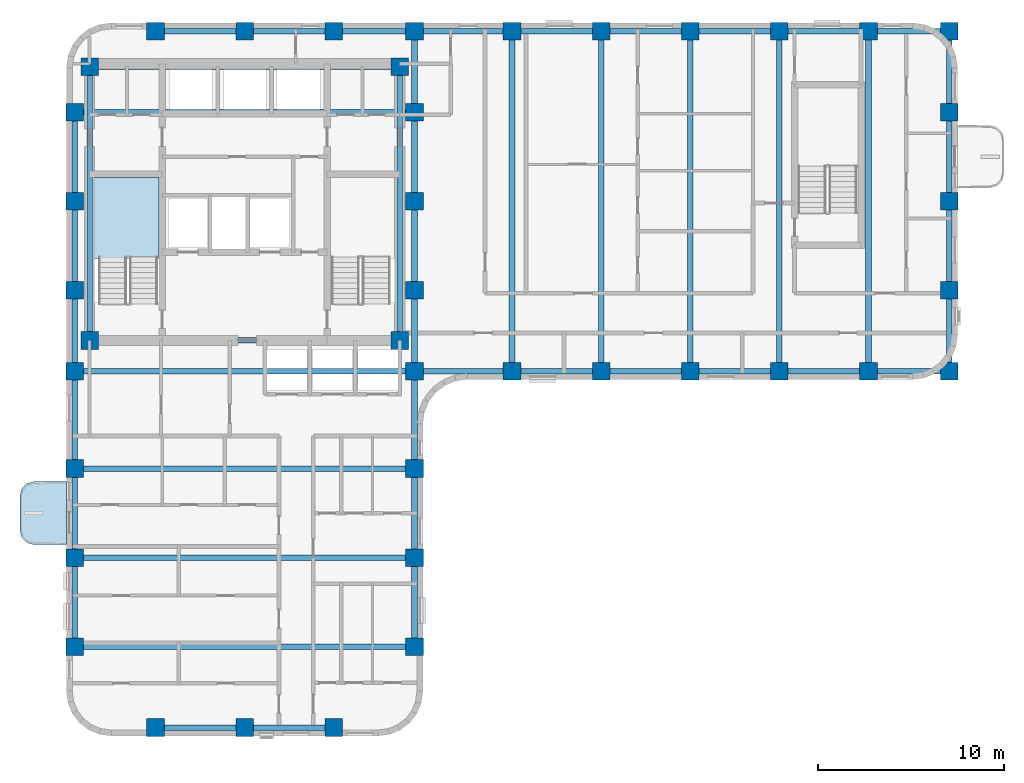
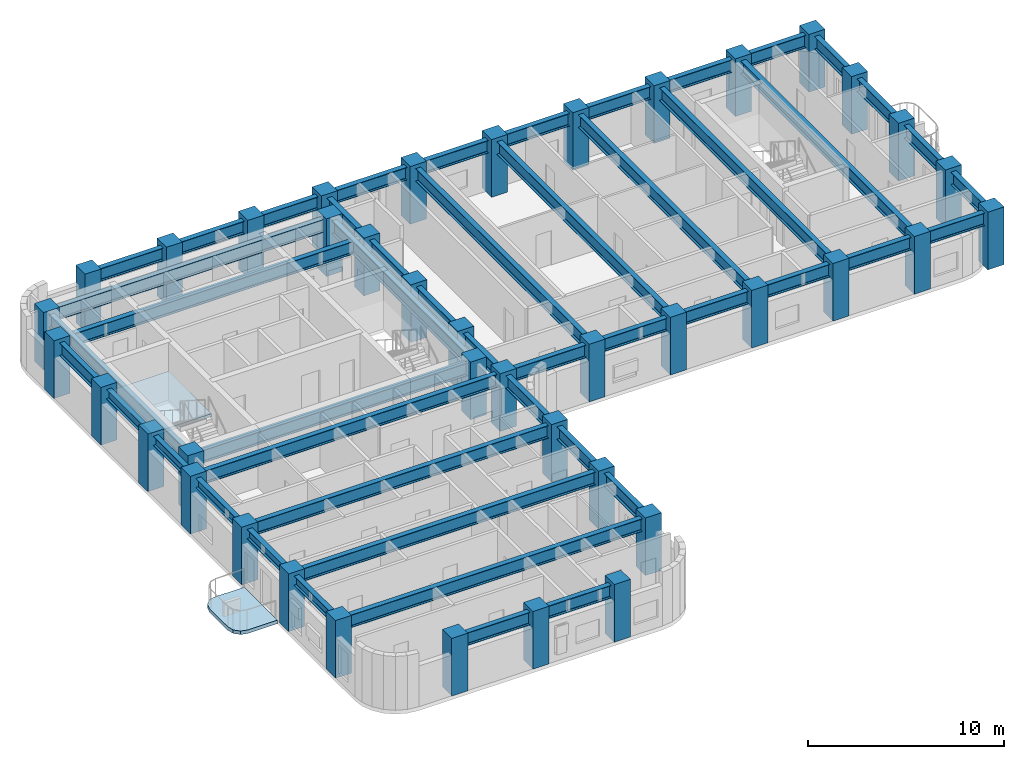
# One storey, part 1 of 10: 48 beams, 40 columns, 2 slabs, 1 element without a shape of its own.
"""IFC4 building model written with IfcOpenShell, lengths in metres."""

import ifcopenshell
import ifcopenshell.guid

model = None  # the IFC model being written
_history = None  # IfcOwnerHistory: only IFC2X3 demands one
_inside = {}  # id of a spatial element -> (the spatial element, [elements in it])
_under = {}  # id of a project, library or spatial element -> (it, [spatial elements below it])
_declared = {}  # id of a project -> (the project, [libraries it declares])
_typed = {}  # id of a type object -> (the type object, [elements of that type])
_made_of = {}  # id of a material, layer set ... -> (it, [elements and type objects made of it])


def new_model(schema):
    """Start an empty IFC model of exactly this schema.

    Asked for "IFC4X3", IfcOpenShell would pick the latest addendum, in which some entities
    have other attributes; the version numbers below select the first issue.
    IFC2X3 requires an IfcOwnerHistory on every rooted entity: one is made here for all.
    """
    global model, _history
    if schema == "IFC4X3":
        model = ifcopenshell.file(schema_version=(4, 3, 0, 0))
    else:
        model = ifcopenshell.file(schema=schema)
    _inside.clear()
    _under.clear()
    _declared.clear()
    _typed.clear()
    _made_of.clear()
    _history = None
    if model.schema == "IFC2X3":
        org = make("IfcOrganization", Name="unknown")
        user = make(
            "IfcPersonAndOrganization",
            ThePerson=make("IfcPerson", FamilyName="unknown"),
            TheOrganization=org,
        )
        app = make(
            "IfcApplication",
            ApplicationDeveloper=org,
            Version="unknown",
            ApplicationFullName="unknown",
            ApplicationIdentifier="unknown",
        )
        _history = make(
            "IfcOwnerHistory",
            OwningUser=user,
            OwningApplication=app,
            ChangeAction="ADDED",
            CreationDate=0,
        )
    return model


def make(cls, **values):
    """One entity of the class cls with the attributes given. An attribute that is None is left unset."""
    return model.create_entity(
        cls, **{name: value for name, value in values.items() if value is not None}
    )


def rooted(cls, **values):
    """An entity with a GlobalId (a new one), such as an element, a storey or a relation."""
    return make(cls, GlobalId=ifcopenshell.guid.new(), OwnerHistory=_history, **values)


def si_unit(unit_type, name, prefix=None):
    """IfcSIUnit, for example si_unit("LENGTHUNIT", "METRE", prefix="MILLI")."""
    return make("IfcSIUnit", UnitType=unit_type, Prefix=prefix, Name=name)


def assignment(units):
    """IfcUnitAssignment: the units of a project."""
    return None if units is None else make("IfcUnitAssignment", Units=units)


def point(xyz):
    """IfcCartesianPoint."""
    return None if xyz is None else make("IfcCartesianPoint", Coordinates=xyz)


def direction(xyz):
    """IfcDirection."""
    return None if xyz is None else make("IfcDirection", DirectionRatios=xyz)


def frame(location, z_axis=None, x_axis=None):
    """IfcAxis2Placement3D, a coordinate frame: its origin and axes. An axis left out is left unset."""
    return make(
        "IfcAxis2Placement3D",
        Location=point(location),
        Axis=direction(z_axis),
        RefDirection=direction(x_axis),
    )


def frame_2d(location, x_axis=None):
    """IfcAxis2Placement2D, a coordinate frame in the plane: its origin and x axis."""
    return make(
        "IfcAxis2Placement2D", Location=point(location), RefDirection=direction(x_axis)
    )


def origin():
    """The frame at (0, 0, 0) with its axes left unset."""
    return frame((0.0, 0.0, 0.0))


def origin_2d():
    """The frame at (0, 0) in the plane with its x axis left unset."""
    return frame_2d((0.0, 0.0))


def place(relative_to, where):
    """IfcLocalPlacement: puts the frame where relative to a parent placement (None: the world)."""
    return make(
        "IfcLocalPlacement", PlacementRelTo=relative_to, RelativePlacement=where
    )


def context(
    kind, dimensions, precision=None, world=None, true_north=None, identifier=None
):
    """IfcGeometricRepresentationContext, for example the 3D "Model" context."""
    return make(
        "IfcGeometricRepresentationContext",
        ContextIdentifier=identifier,
        ContextType=kind,
        CoordinateSpaceDimension=dimensions,
        Precision=precision,
        WorldCoordinateSystem=world,
        TrueNorth=true_north,
    )


def subcontext(parent, identifier, kind, view, scale=None):
    """IfcGeometricRepresentationSubContext, for example "Body" below "Model"."""
    return make(
        "IfcGeometricRepresentationSubContext",
        ContextIdentifier=identifier,
        ContextType=kind,
        ParentContext=parent,
        TargetScale=scale,
        TargetView=view,
    )


def project(units=None, contexts=None):
    """IfcProject with its units and contexts."""
    return rooted(
        "IfcProject",
        Name="project",
        RepresentationContexts=contexts,
        UnitsInContext=assignment(units),
    )


def spatial(cls, under=None, at=None, **own):
    """A site, building, storey or space (cls), placed at a placement, below another one or the project."""
    s = rooted(cls, ObjectPlacement=at, **own)
    if under is not None:
        _under.setdefault(under.id(), (under, []))[1].append(s)
    return s


def polyline(points):
    """IfcPolyline through the points."""
    return make("IfcPolyline", Points=[point(p) for p in points])


def profile(cls, at=None, kind="AREA", **sizes):
    """A parametric profile (cls). Its sizes go by their IFC names, for example OverallWidth=200.0."""
    return make(cls, ProfileType=kind, Position=at, **sizes)


def rectangle(**sizes):
    """IfcRectangleProfileDef."""
    return profile("IfcRectangleProfileDef", **sizes)


def i_section(**sizes):
    """IfcIShapeProfileDef."""
    return profile("IfcIShapeProfileDef", **sizes)


def outline(outer, holes=None, kind="AREA"):
    """IfcArbitraryClosedProfileDef: a profile drawn as a closed curve; with holes, ...WithVoids."""
    if holes is None:
        return make("IfcArbitraryClosedProfileDef", ProfileType=kind, OuterCurve=outer)
    return make(
        "IfcArbitraryProfileDefWithVoids",
        ProfileType=kind,
        OuterCurve=outer,
        InnerCurves=holes,
    )


def extrude(swept, where, along, depth):
    """IfcExtrudedAreaSolid: the profile swept, set in the frame where, extruded along a direction by depth."""
    return make(
        "IfcExtrudedAreaSolid",
        SweptArea=swept,
        Position=where,
        ExtrudedDirection=direction(along),
        Depth=depth,
    )


def shape(context_of_items, identifier, shape_type, items):
    """IfcShapeRepresentation: the items that make up one representation, for example the "Body"."""
    return make(
        "IfcShapeRepresentation",
        ContextOfItems=context_of_items,
        RepresentationIdentifier=identifier,
        RepresentationType=shape_type,
        Items=items,
    )


def material(Name=None, Category=None):
    """IfcMaterial."""
    return make("IfcMaterial", Name=Name, Category=Category)


def layer(
    of_material, thickness, ventilated=None, Name=None, Category=None, Priority=None
):
    """IfcMaterialLayer: one layer of a wall or slab, of a material (None: an air gap)."""
    return make(
        "IfcMaterialLayer",
        Material=of_material,
        LayerThickness=thickness,
        IsVentilated=ventilated,
        Name=Name,
        Category=Category,
        Priority=Priority,
    )


def layer_set(layers, Name=None):
    """IfcMaterialLayerSet."""
    return make("IfcMaterialLayerSet", MaterialLayers=layers, LayerSetName=Name)


def material_profile(
    of_material, cross_section, Name=None, Category=None, Priority=None
):
    """IfcMaterialProfile: a cross section and its material."""
    return make(
        "IfcMaterialProfile",
        Name=Name,
        Material=of_material,
        Profile=cross_section,
        Priority=Priority,
        Category=Category,
    )


def profile_set(profiles, Name=None, composite=None):
    """IfcMaterialProfileSet."""
    return make(
        "IfcMaterialProfileSet",
        Name=Name,
        MaterialProfiles=profiles,
        CompositeProfile=composite,
    )


def made_of(thing, what):
    """Note that an element or type object is made of a material, layer set ...; save() writes the relation."""
    if what is not None:
        _made_of.setdefault(what.id(), (what, []))[1].append(thing)
    return thing


def type_object(cls, material=None, **own):
    """A type object (cls), such as IfcWallType, which elements share."""
    return made_of(rooted(cls, **own), material)


def element(
    cls,
    number,
    at=None,
    inside=None,
    cuts=None,
    type_object=None,
    material=None,
    context=None,
    identifier="Body",
    shape_type=None,
    held_by="IfcProductDefinitionShape",
    body=None,
    shapes=None,
    **own,
):
    """One element of the class cls, such as IfcWall. Its Tag is "e" and its number.

    at: its placement. inside: the storey or other place that contains it. cuts: it is an
    opening in that element (IfcRelVoidsElement). A single representation is given by context,
    identifier, shape_type and body (its items); several are given by shapes. held_by: the class
    of the entity that holds the representations. save() writes the other relations.
    """
    e = rooted(cls, Tag="e%d" % number, ObjectPlacement=at, **own)
    if body is not None:
        shapes = [shape(context, identifier, shape_type, body)]
    if shapes is not None:
        e.Representation = make(held_by, Representations=shapes)
    if inside is not None:
        _inside.setdefault(inside.id(), (inside, []))[1].append(e)
    if cuts is not None:
        rooted(
            "IfcRelVoidsElement", RelatingBuildingElement=cuts, RelatedOpeningElement=e
        )
    if type_object is not None:
        _typed.setdefault(type_object.id(), (type_object, []))[1].append(e)
    return made_of(e, material)


def aggregate(whole, parts):
    """IfcRelAggregates: a whole, such as a stair, and the parts it consists of."""
    return rooted("IfcRelAggregates", RelatingObject=whole, RelatedObjects=parts)


def save(model, path):
    """Write the relations noted so far, then the file.

    IfcRelAggregates (storeys below a building ...), IfcRelContainedInSpatialStructure (elements
    in a storey), IfcRelDefinesByType, IfcRelAssociatesMaterial and IfcRelDeclares: one each for
    every whole, place, type object, material and project.
    """
    for whole, parts in _under.values():
        aggregate(whole, parts)
    for where, things in _inside.values():
        rooted(
            "IfcRelContainedInSpatialStructure",
            RelatedElements=things,
            RelatingStructure=where,
        )
    for kind, things in _typed.values():
        rooted("IfcRelDefinesByType", RelatedObjects=things, RelatingType=kind)
    for what, things in _made_of.values():
        rooted("IfcRelAssociatesMaterial", RelatedObjects=things, RelatingMaterial=what)
    for by, libraries in _declared.values():
        rooted("IfcRelDeclares", RelatingContext=by, RelatedDefinitions=libraries)
    model.write(path)


model = new_model("IFC4")

# Units and contexts
model_context = context("Model", 3, precision=1e-05, world=origin(), true_north=direction((0.0, 1.0)))
body_context = subcontext(model_context, "Body", "Model", "MODEL_VIEW")
ifc_project = project(units=[si_unit("LENGTHUNIT", "METRE"), si_unit("AREAUNIT", "SQUARE_METRE"), si_unit("VOLUMEUNIT", "CUBIC_METRE"), si_unit("PLANEANGLEUNIT", "RADIAN"), si_unit("MASSUNIT", "GRAM", prefix="KILO")], contexts=[model_context])

# Site, building, storey
site_placement = place(None, origin())
site = spatial("IfcSite", under=ifc_project, at=site_placement, CompositionType="ELEMENT")
building_placement = place(site_placement, origin())
building = spatial("IfcBuilding", under=site, at=building_placement, Name="Orvandelia Arch Residences", CompositionType="ELEMENT")
storey_placement = place(building_placement, frame((0.0, 0.0, 136.0)))
storey = spatial("IfcBuildingStorey", under=building, at=storey_placement, Name="L35", CompositionType="ELEMENT", Elevation=136.0)

# Columns
ifc_material_1 = material(Name="Concrete C60/75", Category="concrete")
ifc_material_profile_1 = material_profile(ifc_material_1, rectangle(XDim=0.949951171875, YDim=0.949951171875, at=origin_2d()), Name="Concrete C60/75", Category="concrete")
ifc_profile_set_1 = profile_set([ifc_material_profile_1], Name="Concrete C60/75")
column_type = type_object("IfcColumnType", Name="COL-TWR-950", PredefinedType="COLUMN", material=ifc_profile_set_1)
for number, where, z_axis, x_axis, name in (
    (1, (5.25, 14.39990234375, 0.0), (0.0, 0.0, 1.0), (1.0, 0.0, 0.0), "Structural Column L35-W-W-144"),
    (2, (5.25, 19.199951171875, 0.0), (0.0, 0.0, 1.0), (1.0, 0.0, 0.0), "Structural Column L35-W-W-192"),
    (3, (5.25, 24.0, 0.0), (0.0, 0.0, 1.0), (1.0, 0.0, 0.0), "Structural Column L35-W-W-240"),
    (4, (5.25, 29.25, 0.0), (0.0, 0.0, 1.0), (1.0, 0.0, 0.0), "Structural Column L35-W-W-292"),
    (5, (5.25, 33.60009765625, 0.0), (0.0, 0.0, 1.0), (1.0, 0.0, 0.0), "Structural Column L35-W-W-336"),
    (6, (5.25, 38.39990234375, 0.0), (0.0, 0.0, 1.0), (1.0, 0.0, 0.0), "Structural Column L35-W-W-384"),
    (7, (5.25, 43.199951171875, 0.0), (0.0, 0.0, 1.0), (1.0, 0.0, 0.0), "Structural Column L35-W-W-432"),
    (8, (6.050048828125, 30.89990234375, 0.0), (0.0, 0.0, 1.0), (1.0, 0.0, 0.0), "Structural Column L35-CR-SW"),
    (9, (6.050048828125, 45.64990234375, 0.0), (0.0, 0.0, 1.0), (1.0, 0.0, 0.0), "Structural Column L35-CR-NW"),
    (10, (9.60009765625, 10.050048828125, 0.0), (0.0, 0.0, 1.0), (1.0, 0.0, 0.0), "Structural Column L35-W-S-96"),
    (11, (9.60009765625, 47.550048828125, 0.0), (0.0, 0.0, 1.0), (1.0, 0.0, 0.0), "Structural Column L35-W-N-96"),
    (12, (14.39990234375, 10.050048828125, 0.0), (0.0, 0.0, 1.0), (1.0, 0.0, 0.0), "Structural Column L35-W-S-144"),
    (13, (14.39990234375, 47.550048828125, 0.0), (0.0, 0.0, 1.0), (1.0, 0.0, 0.0), "Structural Column L35-W-N-144"),
    (14, (19.199951171875, 10.050048828125, 0.0), (0.0, 0.0, 1.0), (1.0, 0.0, 0.0), "Structural Column L35-W-S-192"),
    (15, (19.199951171875, 47.550048828125, 0.0), (0.0, 0.0, 1.0), (1.0, 0.0, 0.0), "Structural Column L35-W-N-192"),
    (16, (22.75, 30.89990234375, 0.0), (0.0, 0.0, 1.0), (1.0, 0.0, 0.0), "Structural Column L35-CR-SE"),
    (17, (22.75, 45.64990234375, 0.0), (0.0, 0.0, 1.0), (1.0, 0.0, 0.0), "Structural Column L35-CR-NE"),
    (18, (23.550048828125, 14.39990234375, 0.0), (0.0, 0.0, 1.0), (1.0, 0.0, 0.0), "Structural Column L35-W-E-144"),
    (19, (23.550048828125, 19.199951171875, 0.0), (0.0, 0.0, 1.0), (1.0, 0.0, 0.0), "Structural Column L35-W-E-192"),
    (20, (23.550048828125, 24.0, 0.0), (0.0, 0.0, 1.0), (1.0, 0.0, 0.0), "Structural Column L35-W-E-240"),
    (21, (23.550048828125, 29.25, 0.0), (0.0, 0.0, 1.0), (1.0, 0.0, 0.0), "Structural Column L35-W-E-292"),
    (22, (23.550048828125, 33.60009765625, 0.0), (0.0, 0.0, 1.0), (1.0, 0.0, 0.0), "Structural Column L35-W-E-336"),
    (23, (23.550048828125, 38.39990234375, 0.0), (0.0, 0.0, 1.0), (1.0, 0.0, 0.0), "Structural Column L35-W-E-384"),
    (24, (23.550048828125, 43.199951171875, 0.0), (0.0, 0.0, 1.0), (1.0, 0.0, 0.0), "Structural Column L35-W-E-432"),
    (25, (23.550048828125, 47.550048828125, 0.0), (0.0, 0.0, 1.0), (1.0, 0.0, 0.0), "Structural Column L35-W-N-235"),
    (26, (28.800048828125, 29.25, 0.0), (0.0, 0.0, 1.0), (1.0, 0.0, 0.0), "Structural Column L35-E-S-288"),
    (27, (28.800048828125, 47.550048828125, 0.0), (0.0, 0.0, 1.0), (1.0, 0.0, 0.0), "Structural Column L35-E-N-288"),
    (28, (33.60009765625, 29.25, 0.0), (0.0, 0.0, 1.0), (1.0, 0.0, 0.0), "Structural Column L35-E-S-336"),
    (29, (33.60009765625, 47.550048828125, 0.0), (0.0, 0.0, 1.0), (1.0, 0.0, 0.0), "Structural Column L35-E-N-336"),
    (30, (38.39990234375, 29.25, 0.0), (0.0, 0.0, 1.0), (1.0, 0.0, 0.0), "Structural Column L35-E-S-384"),
    (31, (38.39990234375, 47.550048828125, 0.0), (0.0, 0.0, 1.0), (1.0, 0.0, 0.0), "Structural Column L35-E-N-384"),
    (32, (43.199951171875, 29.25, 0.0), (0.0, 0.0, 1.0), (1.0, 0.0, 0.0), "Structural Column L35-E-S-432"),
    (33, (43.199951171875, 47.550048828125, 0.0), (0.0, 0.0, 1.0), (1.0, 0.0, 0.0), "Structural Column L35-E-N-432"),
    (34, (48.0, 29.25, 0.0), (0.0, 0.0, 1.0), (1.0, 0.0, 0.0), "Structural Column L35-E-S-480"),
    (35, (48.0, 47.550048828125, 0.0), (0.0, 0.0, 1.0), (1.0, 0.0, 0.0), "Structural Column L35-E-N-480"),
    (36, (52.35009765625, 29.25, 0.0), (0.0, 0.0, 1.0), (1.0, 0.0, 0.0), "Structural Column L35-E-S-523"),
    (37, (52.35009765625, 33.60009765625, 0.0), (0.0, 0.0, 1.0), (1.0, 0.0, 0.0), "Structural Column L35-E-523-336"),
    (38, (52.35009765625, 38.39990234375, 0.0), (0.0, 0.0, 1.0), (1.0, 0.0, 0.0), "Structural Column L35-E-523-384"),
    (39, (52.35009765625, 43.199951171875, 0.0), (0.0, 0.0, 1.0), (1.0, 0.0, 0.0), "Structural Column L35-E-523-432"),
    (40, (52.35009765625, 47.550048828125, 0.0), (0.0, 0.0, 1.0), (1.0, 0.0, 0.0), "Structural Column L35-E-N-523"),
):
    element("IfcColumn", number, at=place(storey_placement, frame(where, z_axis=z_axis, x_axis=x_axis)), inside=storey, type_object=column_type, Name=name, PredefinedType="COLUMN", context=body_context, shape_type="SweptSolid", body=[
        extrude(rectangle(XDim=0.949951171875, YDim=0.949951171875, at=origin_2d()), origin(), (0.0, 0.0, 1.0), 3.60009765625),
    ])

# Beams
ifc_material_2 = material(Name="Structural Steel SM355 (355 MPa)", Category="steel")
ifc_material_profile_2 = material_profile(ifc_material_2, i_section(OverallWidth=0.300048828125, OverallDepth=0.800048828125, WebThickness=0.013916015625, FlangeThickness=0.02587890625, FilletRadius=0.02587890625, at=origin_2d()), Name="Structural Steel SM355 (355 MPa)", Category="steel")
ifc_profile_set_2 = profile_set([ifc_material_profile_2], Name="Structural Steel SM355 (355 MPa)")
beam_type_1 = type_object("IfcBeamType", Name="BM-GRD-H800", PredefinedType="BEAM", material=ifc_profile_set_2)
beam_1_placement = place(storey_placement, frame((5.25, 38.39990234375, 2.9599609375), z_axis=(0.0, 1.0, 0.0), x_axis=(-1.0, 0.0, 0.0)))
element("IfcBeam", 41, at=beam_1_placement, inside=storey, type_object=beam_type_1, Name="Structural Frame Beam L35-NS-006", PredefinedType="BEAM", context=body_context, shape_type="SweptSolid", body=[
    extrude(i_section(OverallWidth=0.300048828125, OverallDepth=0.800048828125, WebThickness=0.013916015625, FlangeThickness=0.02587890625, FilletRadius=0.02587890625, at=origin_2d()), origin(), (0.0, 0.0, 1.0), 4.800048828125),
])
for number, where, z_axis, x_axis, name in (
    (42, (6.050048828125, 30.89990234375, 2.9599609375), (0.0, 1.0, 0.0), (-1.0, 0.0, 0.0), "Structural Frame Beam L35-NS-007"),
    (43, (22.75, 30.89990234375, 2.9599609375), (0.0, 1.0, 0.0), (-1.0, 0.0, 0.0), "Structural Frame Beam L35-NS-008"),
):
    element("IfcBeam", number, at=place(storey_placement, frame(where, z_axis=z_axis, x_axis=x_axis)), inside=storey, type_object=beam_type_1, Name=name, PredefinedType="BEAM", context=body_context, shape_type="SweptSolid", body=[
        extrude(i_section(OverallWidth=0.300048828125, OverallDepth=0.800048828125, WebThickness=0.013916015625, FlangeThickness=0.02587890625, FilletRadius=0.02587890625, at=origin_2d()), origin(), (0.0, 0.0, 1.0), 14.75),
    ])
for number, where, z_axis, x_axis, name in (
    (44, (23.550048828125, 14.39990234375, 2.9599609375), (0.0, 1.0, 0.0), (-1.0, 0.0, 0.0), "Structural Frame Beam L35-NS-009"),
    (45, (23.550048828125, 19.199951171875, 2.9599609375), (0.0, 1.0, 0.0), (-1.0, 0.0, 0.0), "Structural Frame Beam L35-NS-010"),
):
    element("IfcBeam", number, at=place(storey_placement, frame(where, z_axis=z_axis, x_axis=x_axis)), inside=storey, type_object=beam_type_1, Name=name, PredefinedType="BEAM", context=body_context, shape_type="SweptSolid", body=[
        extrude(i_section(OverallWidth=0.300048828125, OverallDepth=0.800048828125, WebThickness=0.013916015625, FlangeThickness=0.02587890625, FilletRadius=0.02587890625, at=origin_2d()), origin(), (0.0, 0.0, 1.0), 4.800048828125),
    ])
beam_2_placement = place(storey_placement, frame((23.550048828125, 24.0, 2.9599609375), z_axis=(0.0, 1.0, 0.0), x_axis=(-1.0, 0.0, 0.0)))
element("IfcBeam", 46, at=beam_2_placement, inside=storey, type_object=beam_type_1, Name="Structural Frame Beam L35-NS-011", PredefinedType="BEAM", context=body_context, shape_type="SweptSolid", body=[
    extrude(i_section(OverallWidth=0.300048828125, OverallDepth=0.800048828125, WebThickness=0.013916015625, FlangeThickness=0.02587890625, FilletRadius=0.02587890625, at=origin_2d()), origin(), (0.0, 0.0, 1.0), 5.25),
])
beam_3_placement = place(storey_placement, frame((23.550048828125, 29.25, 2.9599609375), z_axis=(0.0, 1.0, 0.0), x_axis=(-1.0, 0.0, 0.0)))
element("IfcBeam", 47, at=beam_3_placement, inside=storey, type_object=beam_type_1, Name="Structural Frame Beam L35-NS-012", PredefinedType="BEAM", context=body_context, shape_type="SweptSolid", body=[
    extrude(i_section(OverallWidth=0.300048828125, OverallDepth=0.800048828125, WebThickness=0.013916015625, FlangeThickness=0.02587890625, FilletRadius=0.02587890625, at=origin_2d()), origin(), (0.0, 0.0, 1.0), 4.35009765625),
])
beam_4_placement = place(storey_placement, frame((23.550048828125, 33.60009765625, 2.9599609375), z_axis=(0.0, 1.0, 0.0), x_axis=(-1.0, 0.0, 0.0)))
element("IfcBeam", 48, at=beam_4_placement, inside=storey, type_object=beam_type_1, Name="Structural Frame Beam L35-NS-013", PredefinedType="BEAM", context=body_context, shape_type="SweptSolid", body=[
    extrude(i_section(OverallWidth=0.300048828125, OverallDepth=0.800048828125, WebThickness=0.013916015625, FlangeThickness=0.02587890625, FilletRadius=0.02587890625, at=origin_2d()), origin(), (0.0, 0.0, 1.0), 4.7998046875),
])
beam_5_placement = place(storey_placement, frame((23.550048828125, 38.39990234375, 2.9599609375), z_axis=(0.0, 1.0, 0.0), x_axis=(-1.0, 0.0, 0.0)))
element("IfcBeam", 49, at=beam_5_placement, inside=storey, type_object=beam_type_1, Name="Structural Frame Beam L35-NS-014", PredefinedType="BEAM", context=body_context, shape_type="SweptSolid", body=[
    extrude(i_section(OverallWidth=0.300048828125, OverallDepth=0.800048828125, WebThickness=0.013916015625, FlangeThickness=0.02587890625, FilletRadius=0.02587890625, at=origin_2d()), origin(), (0.0, 0.0, 1.0), 4.800048828125),
])
beam_6_placement = place(storey_placement, frame((23.550048828125, 43.199951171875, 2.9599609375), z_axis=(0.0, 1.0, 0.0), x_axis=(-1.0, 0.0, 0.0)))
element("IfcBeam", 50, at=beam_6_placement, inside=storey, type_object=beam_type_1, Name="Structural Frame Beam L35-NS-015", PredefinedType="BEAM", context=body_context, shape_type="SweptSolid", body=[
    extrude(i_section(OverallWidth=0.300048828125, OverallDepth=0.800048828125, WebThickness=0.013916015625, FlangeThickness=0.02587890625, FilletRadius=0.02587890625, at=origin_2d()), origin(), (0.0, 0.0, 1.0), 4.35009765625),
])
for number, where, z_axis, x_axis, name in (
    (51, (28.800048828125, 29.25, 2.9599609375), (0.0, 1.0, 0.0), (-1.0, 0.0, 0.0), "Structural Frame Beam L35-NS-016"),
    (52, (33.60009765625, 29.25, 2.9599609375), (0.0, 1.0, 0.0), (-1.0, 0.0, 0.0), "Structural Frame Beam L35-NS-017"),
    (53, (38.39990234375, 29.25, 2.9599609375), (0.0, 1.0, 0.0), (-1.0, 0.0, 0.0), "Structural Frame Beam L35-NS-018"),
    (54, (43.199951171875, 29.25, 2.9599609375), (0.0, 1.0, 0.0), (-1.0, 0.0, 0.0), "Structural Frame Beam L35-NS-019"),
    (55, (48.0, 29.25, 2.9599609375), (0.0, 1.0, 0.0), (-1.0, 0.0, 0.0), "Structural Frame Beam L35-NS-020"),
):
    element("IfcBeam", number, at=place(storey_placement, frame(where, z_axis=z_axis, x_axis=x_axis)), inside=storey, type_object=beam_type_1, Name=name, PredefinedType="BEAM", context=body_context, shape_type="SweptSolid", body=[
        extrude(i_section(OverallWidth=0.300048828125, OverallDepth=0.800048828125, WebThickness=0.013916015625, FlangeThickness=0.02587890625, FilletRadius=0.02587890625, at=origin_2d()), origin(), (0.0, 0.0, 1.0), 18.300048828125),
    ])
beam_7_placement = place(storey_placement, frame((52.35009765625, 29.25, 2.9599609375), z_axis=(0.0, 1.0, 0.0), x_axis=(-1.0, 0.0, 0.0)))
element("IfcBeam", 56, at=beam_7_placement, inside=storey, type_object=beam_type_1, Name="Structural Frame Beam L35-NS-021", PredefinedType="BEAM", context=body_context, shape_type="SweptSolid", body=[
    extrude(i_section(OverallWidth=0.300048828125, OverallDepth=0.800048828125, WebThickness=0.013916015625, FlangeThickness=0.02587890625, FilletRadius=0.02587890625, at=origin_2d()), origin(), (0.0, 0.0, 1.0), 4.35009765625),
])
beam_8_placement = place(storey_placement, frame((52.35009765625, 33.60009765625, 2.9599609375), z_axis=(0.0, 1.0, 0.0), x_axis=(-1.0, 0.0, 0.0)))
element("IfcBeam", 57, at=beam_8_placement, inside=storey, type_object=beam_type_1, Name="Structural Frame Beam L35-NS-022", PredefinedType="BEAM", context=body_context, shape_type="SweptSolid", body=[
    extrude(i_section(OverallWidth=0.300048828125, OverallDepth=0.800048828125, WebThickness=0.013916015625, FlangeThickness=0.02587890625, FilletRadius=0.02587890625, at=origin_2d()), origin(), (0.0, 0.0, 1.0), 4.7998046875),
])
beam_9_placement = place(storey_placement, frame((52.35009765625, 38.39990234375, 2.9599609375), z_axis=(0.0, 1.0, 0.0), x_axis=(-1.0, 0.0, 0.0)))
element("IfcBeam", 58, at=beam_9_placement, inside=storey, type_object=beam_type_1, Name="Structural Frame Beam L35-NS-023", PredefinedType="BEAM", context=body_context, shape_type="SweptSolid", body=[
    extrude(i_section(OverallWidth=0.300048828125, OverallDepth=0.800048828125, WebThickness=0.013916015625, FlangeThickness=0.02587890625, FilletRadius=0.02587890625, at=origin_2d()), origin(), (0.0, 0.0, 1.0), 4.800048828125),
])
beam_10_placement = place(storey_placement, frame((52.35009765625, 43.199951171875, 2.9599609375), z_axis=(0.0, 1.0, 0.0), x_axis=(-1.0, 0.0, 0.0)))
element("IfcBeam", 59, at=beam_10_placement, inside=storey, type_object=beam_type_1, Name="Structural Frame Beam L35-NS-024", PredefinedType="BEAM", context=body_context, shape_type="SweptSolid", body=[
    extrude(i_section(OverallWidth=0.300048828125, OverallDepth=0.800048828125, WebThickness=0.013916015625, FlangeThickness=0.02587890625, FilletRadius=0.02587890625, at=origin_2d()), origin(), (0.0, 0.0, 1.0), 4.35009765625),
])
beam_11_placement = place(storey_placement, frame((9.60009765625, 10.050048828125, 2.9599609375), z_axis=(1.0, 0.0, 0.0), x_axis=(0.0, 1.0, 0.0)))
element("IfcBeam", 60, at=beam_11_placement, inside=storey, type_object=beam_type_1, Name="Structural Frame Girder L35-EW-025", PredefinedType="BEAM", context=body_context, shape_type="SweptSolid", body=[
    extrude(i_section(OverallWidth=0.300048828125, OverallDepth=0.800048828125, WebThickness=0.013916015625, FlangeThickness=0.02587890625, FilletRadius=0.02587890625, at=origin_2d()), origin(), (0.0, 0.0, 1.0), 4.7998046875),
])
beam_12_placement = place(storey_placement, frame((14.39990234375, 10.050048828125, 2.9599609375), z_axis=(1.0, 0.0, 0.0), x_axis=(0.0, 1.0, 0.0)))
element("IfcBeam", 61, at=beam_12_placement, inside=storey, type_object=beam_type_1, Name="Structural Frame Girder L35-EW-026", PredefinedType="BEAM", context=body_context, shape_type="SweptSolid", body=[
    extrude(i_section(OverallWidth=0.300048828125, OverallDepth=0.800048828125, WebThickness=0.013916015625, FlangeThickness=0.02587890625, FilletRadius=0.02587890625, at=origin_2d()), origin(), (0.0, 0.0, 1.0), 4.800048828125),
])
for number, where, z_axis, x_axis, name in (
    (62, (5.25, 14.39990234375, 2.9599609375), (1.0, 0.0, 0.0), (0.0, 1.0, 0.0), "Structural Frame Girder L35-EW-027"),
    (63, (5.25, 19.199951171875, 2.9599609375), (1.0, 0.0, 0.0), (0.0, 1.0, 0.0), "Structural Frame Girder L35-EW-028"),
    (64, (5.25, 24.0, 2.9599609375), (1.0, 0.0, 0.0), (0.0, 1.0, 0.0), "Structural Frame Girder L35-EW-029"),
    (65, (5.25, 29.25, 2.9599609375), (1.0, 0.0, 0.0), (0.0, 1.0, 0.0), "Structural Frame Girder L35-EW-030"),
):
    element("IfcBeam", number, at=place(storey_placement, frame(where, z_axis=z_axis, x_axis=x_axis)), inside=storey, type_object=beam_type_1, Name=name, PredefinedType="BEAM", context=body_context, shape_type="SweptSolid", body=[
        extrude(i_section(OverallWidth=0.300048828125, OverallDepth=0.800048828125, WebThickness=0.013916015625, FlangeThickness=0.02587890625, FilletRadius=0.02587890625, at=origin_2d()), origin(), (0.0, 0.0, 1.0), 18.300048828125),
    ])
beam_13_placement = place(storey_placement, frame((23.550048828125, 29.25, 2.9599609375), z_axis=(1.0, 0.0, 0.0), x_axis=(0.0, 1.0, 0.0)))
element("IfcBeam", 66, at=beam_13_placement, inside=storey, type_object=beam_type_1, Name="Structural Frame Girder L35-EW-031", PredefinedType="BEAM", context=body_context, shape_type="SweptSolid", body=[
    extrude(i_section(OverallWidth=0.300048828125, OverallDepth=0.800048828125, WebThickness=0.013916015625, FlangeThickness=0.02587890625, FilletRadius=0.02587890625, at=origin_2d()), origin(), (0.0, 0.0, 1.0), 5.25),
])
beam_14_placement = place(storey_placement, frame((28.800048828125, 29.25, 2.9599609375), z_axis=(1.0, 0.0, 0.0), x_axis=(0.0, 1.0, 0.0)))
element("IfcBeam", 67, at=beam_14_placement, inside=storey, type_object=beam_type_1, Name="Structural Frame Girder L35-EW-032", PredefinedType="BEAM", context=body_context, shape_type="SweptSolid", body=[
    extrude(i_section(OverallWidth=0.300048828125, OverallDepth=0.800048828125, WebThickness=0.013916015625, FlangeThickness=0.02587890625, FilletRadius=0.02587890625, at=origin_2d()), origin(), (0.0, 0.0, 1.0), 4.800048828125),
])
beam_15_placement = place(storey_placement, frame((33.60009765625, 29.25, 2.9599609375), z_axis=(1.0, 0.0, 0.0), x_axis=(0.0, 1.0, 0.0)))
element("IfcBeam", 68, at=beam_15_placement, inside=storey, type_object=beam_type_1, Name="Structural Frame Girder L35-EW-033", PredefinedType="BEAM", context=body_context, shape_type="SweptSolid", body=[
    extrude(i_section(OverallWidth=0.300048828125, OverallDepth=0.800048828125, WebThickness=0.013916015625, FlangeThickness=0.02587890625, FilletRadius=0.02587890625, at=origin_2d()), origin(), (0.0, 0.0, 1.0), 4.7998046875),
])
for number, where, z_axis, x_axis, name in (
    (69, (38.39990234375, 29.25, 2.9599609375), (1.0, 0.0, 0.0), (0.0, 1.0, 0.0), "Structural Frame Girder L35-EW-034"),
    (70, (43.199951171875, 29.25, 2.9599609375), (1.0, 0.0, 0.0), (0.0, 1.0, 0.0), "Structural Frame Girder L35-EW-035"),
):
    element("IfcBeam", number, at=place(storey_placement, frame(where, z_axis=z_axis, x_axis=x_axis)), inside=storey, type_object=beam_type_1, Name=name, PredefinedType="BEAM", context=body_context, shape_type="SweptSolid", body=[
        extrude(i_section(OverallWidth=0.300048828125, OverallDepth=0.800048828125, WebThickness=0.013916015625, FlangeThickness=0.02587890625, FilletRadius=0.02587890625, at=origin_2d()), origin(), (0.0, 0.0, 1.0), 4.800048828125),
    ])
beam_16_placement = place(storey_placement, frame((48.0, 29.25, 2.9599609375), z_axis=(1.0, 0.0, 0.0), x_axis=(0.0, 1.0, 0.0)))
element("IfcBeam", 71, at=beam_16_placement, inside=storey, type_object=beam_type_1, Name="Structural Frame Girder L35-EW-036", PredefinedType="BEAM", context=body_context, shape_type="SweptSolid", body=[
    extrude(i_section(OverallWidth=0.300048828125, OverallDepth=0.800048828125, WebThickness=0.013916015625, FlangeThickness=0.02587890625, FilletRadius=0.02587890625, at=origin_2d()), origin(), (0.0, 0.0, 1.0), 4.35009765625),
])
beam_17_placement = place(storey_placement, frame((6.050048828125, 30.89990234375, 2.9599609375), z_axis=(1.0, 0.0, 0.0), x_axis=(0.0, 1.0, 0.0)))
element("IfcBeam", 72, at=beam_17_placement, inside=storey, type_object=beam_type_1, Name="Structural Frame Girder L35-EW-037", PredefinedType="BEAM", context=body_context, shape_type="SweptSolid", body=[
    extrude(i_section(OverallWidth=0.300048828125, OverallDepth=0.800048828125, WebThickness=0.013916015625, FlangeThickness=0.02587890625, FilletRadius=0.02587890625, at=origin_2d()), origin(), (0.0, 0.0, 1.0), 16.699951171875),
])
beam_18_placement = place(storey_placement, frame((5.25, 43.199951171875, 2.9599609375), z_axis=(1.0, 0.0, 0.0), x_axis=(0.0, 1.0, 0.0)))
element("IfcBeam", 73, at=beam_18_placement, inside=storey, type_object=beam_type_1, Name="Structural Frame Girder L35-EW-040", PredefinedType="BEAM", context=body_context, shape_type="SweptSolid", body=[
    extrude(i_section(OverallWidth=0.300048828125, OverallDepth=0.800048828125, WebThickness=0.013916015625, FlangeThickness=0.02587890625, FilletRadius=0.02587890625, at=origin_2d()), origin(), (0.0, 0.0, 1.0), 18.300048828125),
])
beam_19_placement = place(storey_placement, frame((6.050048828125, 45.64990234375, 2.9599609375), z_axis=(1.0, 0.0, 0.0), x_axis=(0.0, 1.0, 0.0)))
element("IfcBeam", 74, at=beam_19_placement, inside=storey, type_object=beam_type_1, Name="Structural Frame Girder L35-EW-041", PredefinedType="BEAM", context=body_context, shape_type="SweptSolid", body=[
    extrude(i_section(OverallWidth=0.300048828125, OverallDepth=0.800048828125, WebThickness=0.013916015625, FlangeThickness=0.02587890625, FilletRadius=0.02587890625, at=origin_2d()), origin(), (0.0, 0.0, 1.0), 16.699951171875),
])
beam_20_placement = place(storey_placement, frame((9.60009765625, 47.550048828125, 2.9599609375), z_axis=(1.0, 0.0, 0.0), x_axis=(0.0, 1.0, 0.0)))
element("IfcBeam", 75, at=beam_20_placement, inside=storey, type_object=beam_type_1, Name="Structural Frame Girder L35-EW-042", PredefinedType="BEAM", context=body_context, shape_type="SweptSolid", body=[
    extrude(i_section(OverallWidth=0.300048828125, OverallDepth=0.800048828125, WebThickness=0.013916015625, FlangeThickness=0.02587890625, FilletRadius=0.02587890625, at=origin_2d()), origin(), (0.0, 0.0, 1.0), 4.7998046875),
])
beam_21_placement = place(storey_placement, frame((14.39990234375, 47.550048828125, 2.9599609375), z_axis=(1.0, 0.0, 0.0), x_axis=(0.0, 1.0, 0.0)))
element("IfcBeam", 76, at=beam_21_placement, inside=storey, type_object=beam_type_1, Name="Structural Frame Girder L35-EW-043", PredefinedType="BEAM", context=body_context, shape_type="SweptSolid", body=[
    extrude(i_section(OverallWidth=0.300048828125, OverallDepth=0.800048828125, WebThickness=0.013916015625, FlangeThickness=0.02587890625, FilletRadius=0.02587890625, at=origin_2d()), origin(), (0.0, 0.0, 1.0), 4.800048828125),
])
beam_22_placement = place(storey_placement, frame((19.199951171875, 47.550048828125, 2.9599609375), z_axis=(1.0, 0.0, 0.0), x_axis=(0.0, 1.0, 0.0)))
element("IfcBeam", 77, at=beam_22_placement, inside=storey, type_object=beam_type_1, Name="Structural Frame Girder L35-EW-044", PredefinedType="BEAM", context=body_context, shape_type="SweptSolid", body=[
    extrude(i_section(OverallWidth=0.300048828125, OverallDepth=0.800048828125, WebThickness=0.013916015625, FlangeThickness=0.02587890625, FilletRadius=0.02587890625, at=origin_2d()), origin(), (0.0, 0.0, 1.0), 4.35009765625),
])
beam_23_placement = place(storey_placement, frame((23.550048828125, 47.550048828125, 2.9599609375), z_axis=(1.0, 0.0, 0.0), x_axis=(0.0, 1.0, 0.0)))
element("IfcBeam", 78, at=beam_23_placement, inside=storey, type_object=beam_type_1, Name="Structural Frame Girder L35-EW-045", PredefinedType="BEAM", context=body_context, shape_type="SweptSolid", body=[
    extrude(i_section(OverallWidth=0.300048828125, OverallDepth=0.800048828125, WebThickness=0.013916015625, FlangeThickness=0.02587890625, FilletRadius=0.02587890625, at=origin_2d()), origin(), (0.0, 0.0, 1.0), 5.25),
])
beam_24_placement = place(storey_placement, frame((28.800048828125, 47.550048828125, 2.9599609375), z_axis=(1.0, 0.0, 0.0), x_axis=(0.0, 1.0, 0.0)))
element("IfcBeam", 79, at=beam_24_placement, inside=storey, type_object=beam_type_1, Name="Structural Frame Girder L35-EW-046", PredefinedType="BEAM", context=body_context, shape_type="SweptSolid", body=[
    extrude(i_section(OverallWidth=0.300048828125, OverallDepth=0.800048828125, WebThickness=0.013916015625, FlangeThickness=0.02587890625, FilletRadius=0.02587890625, at=origin_2d()), origin(), (0.0, 0.0, 1.0), 4.800048828125),
])
beam_25_placement = place(storey_placement, frame((33.60009765625, 47.550048828125, 2.9599609375), z_axis=(1.0, 0.0, 0.0), x_axis=(0.0, 1.0, 0.0)))
element("IfcBeam", 80, at=beam_25_placement, inside=storey, type_object=beam_type_1, Name="Structural Frame Girder L35-EW-047", PredefinedType="BEAM", context=body_context, shape_type="SweptSolid", body=[
    extrude(i_section(OverallWidth=0.300048828125, OverallDepth=0.800048828125, WebThickness=0.013916015625, FlangeThickness=0.02587890625, FilletRadius=0.02587890625, at=origin_2d()), origin(), (0.0, 0.0, 1.0), 4.7998046875),
])
for number, where, z_axis, x_axis, name in (
    (81, (38.39990234375, 47.550048828125, 2.9599609375), (1.0, 0.0, 0.0), (0.0, 1.0, 0.0), "Structural Frame Girder L35-EW-048"),
    (82, (43.199951171875, 47.550048828125, 2.9599609375), (1.0, 0.0, 0.0), (0.0, 1.0, 0.0), "Structural Frame Girder L35-EW-049"),
):
    element("IfcBeam", number, at=place(storey_placement, frame(where, z_axis=z_axis, x_axis=x_axis)), inside=storey, type_object=beam_type_1, Name=name, PredefinedType="BEAM", context=body_context, shape_type="SweptSolid", body=[
        extrude(i_section(OverallWidth=0.300048828125, OverallDepth=0.800048828125, WebThickness=0.013916015625, FlangeThickness=0.02587890625, FilletRadius=0.02587890625, at=origin_2d()), origin(), (0.0, 0.0, 1.0), 4.800048828125),
    ])
beam_26_placement = place(storey_placement, frame((48.0, 47.550048828125, 2.9599609375), z_axis=(1.0, 0.0, 0.0), x_axis=(0.0, 1.0, 0.0)))
element("IfcBeam", 83, at=beam_26_placement, inside=storey, type_object=beam_type_1, Name="Structural Frame Girder L35-EW-050", PredefinedType="BEAM", context=body_context, shape_type="SweptSolid", body=[
    extrude(i_section(OverallWidth=0.300048828125, OverallDepth=0.800048828125, WebThickness=0.013916015625, FlangeThickness=0.02587890625, FilletRadius=0.02587890625, at=origin_2d()), origin(), (0.0, 0.0, 1.0), 4.35009765625),
])
ifc_material_profile_3 = material_profile(ifc_material_2, i_section(OverallWidth=0.300048828125, OverallDepth=0.587890625, WebThickness=0.011962890625, FlangeThickness=0.02001953125, FilletRadius=0.02197265625, at=origin_2d()), Name="Structural Steel SM355 (355 MPa)", Category="steel")
ifc_profile_set_3 = profile_set([ifc_material_profile_3], Name="Structural Steel SM355 (355 MPa)")
beam_type_2 = type_object("IfcBeamType", Name="BM-SPN-H588", PredefinedType="SPANDREL", material=ifc_profile_set_3)
for number, where, z_axis, x_axis, name in (
    (84, (5.25, 14.39990234375, 3.06591796875), (0.0, 1.0, 0.0), (-1.0, 0.0, 0.0), "Structural Frame Beam L35-NS-001"),
    (85, (5.25, 19.199951171875, 3.06591796875), (0.0, 1.0, 0.0), (-1.0, 0.0, 0.0), "Structural Frame Beam L35-NS-002"),
):
    element("IfcBeam", number, at=place(storey_placement, frame(where, z_axis=z_axis, x_axis=x_axis)), inside=storey, type_object=beam_type_2, Name=name, PredefinedType="SPANDREL", context=body_context, shape_type="SweptSolid", body=[
        extrude(i_section(OverallWidth=0.300048828125, OverallDepth=0.587890625, WebThickness=0.011962890625, FlangeThickness=0.02001953125, FilletRadius=0.02197265625, at=origin_2d()), origin(), (0.0, 0.0, 1.0), 4.800048828125),
    ])
beam_27_placement = place(storey_placement, frame((5.25, 24.0, 3.06591796875), z_axis=(0.0, 1.0, 0.0), x_axis=(-1.0, 0.0, 0.0)))
element("IfcBeam", 86, at=beam_27_placement, inside=storey, type_object=beam_type_2, Name="Structural Frame Beam L35-NS-003", PredefinedType="SPANDREL", context=body_context, shape_type="SweptSolid", body=[
    extrude(i_section(OverallWidth=0.300048828125, OverallDepth=0.587890625, WebThickness=0.011962890625, FlangeThickness=0.02001953125, FilletRadius=0.02197265625, at=origin_2d()), origin(), (0.0, 0.0, 1.0), 5.25),
])
beam_28_placement = place(storey_placement, frame((5.25, 29.25, 3.06591796875), z_axis=(0.0, 1.0, 0.0), x_axis=(-1.0, 0.0, 0.0)))
element("IfcBeam", 87, at=beam_28_placement, inside=storey, type_object=beam_type_2, Name="Structural Frame Beam L35-NS-004", PredefinedType="SPANDREL", context=body_context, shape_type="SweptSolid", body=[
    extrude(i_section(OverallWidth=0.300048828125, OverallDepth=0.587890625, WebThickness=0.011962890625, FlangeThickness=0.02001953125, FilletRadius=0.02197265625, at=origin_2d()), origin(), (0.0, 0.0, 1.0), 4.35009765625),
])
beam_29_placement = place(storey_placement, frame((5.25, 33.60009765625, 3.06591796875), z_axis=(0.0, 1.0, 0.0), x_axis=(-1.0, 0.0, 0.0)))
element("IfcBeam", 88, at=beam_29_placement, inside=storey, type_object=beam_type_2, Name="Structural Frame Beam L35-NS-005", PredefinedType="SPANDREL", context=body_context, shape_type="SweptSolid", body=[
    extrude(i_section(OverallWidth=0.300048828125, OverallDepth=0.587890625, WebThickness=0.011962890625, FlangeThickness=0.02001953125, FilletRadius=0.02197265625, at=origin_2d()), origin(), (0.0, 0.0, 1.0), 4.7998046875),
])

# Slab
ifc_material_3 = material(Name="Precast concrete C40/50", Category="concrete")
ifc_layer_1 = layer(ifc_material_3, 0.219970703125, Name="Precast concrete C40/50", Category="concrete")
ifc_layer_set_1 = layer_set([ifc_layer_1], Name="Precast concrete C40/50")
slab_type_1 = type_object("IfcSlabType", Name="SLB-BAL-220", PredefinedType="USERDEFINED", material=ifc_layer_set_1)
slab_1_placement = place(storey_placement, frame((0.0, 0.0, -0.219970703125)))
element("IfcSlab", 89, at=slab_1_placement, inside=storey, type_object=slab_type_1, Name="Tree Balcony Cantilever Slab BAL-L35-W1", ObjectType="BALCONY", PredefinedType="USERDEFINED", context=body_context, shape_type="SweptSolid", body=[
    extrude(outline(polyline([(4.800048828125, 19.89990234375), (4.800048828125, 23.300048828125), (3.050048828125, 23.300048828125), (2.675048828125, 23.199462890625), (2.400390625, 22.925048828125), (2.300048828125, 22.550048828125), (2.300048828125, 20.64990234375), (2.400390625, 20.27490234375), (2.675048828125, 20.00048828125), (3.050048828125, 19.89990234375), (4.800048828125, 19.89990234375)])), origin(), (0.0, 0.0, 1.0), 0.219970703125),
])

# Stair, slab
ifc_material_4 = material(Name="Concrete C40/50", Category="concrete")
stair_type = type_object("IfcStairType", Name="STAIR-RC-DOGLEG", PredefinedType="HALF_TURN_STAIR", material=ifc_material_4)
stair_placement = place(storey_placement, origin())
stair = element("IfcStair", 90, at=stair_placement, inside=storey, type_object=stair_type, Name="L35 Protected Exit Stair ST-1", PredefinedType="HALF_TURN_STAIR")
ifc_layer_2 = layer(ifc_material_4, 0.219970703125, Name="Concrete C40/50", Category="concrete")
ifc_layer_set_2 = layer_set([ifc_layer_2], Name="Concrete C40/50")
slab_type_2 = type_object("IfcSlabType", Name="SLB-LANDING-220", PredefinedType="LANDING", material=ifc_layer_set_2)
slab_2_placement = place(storey_placement, frame((0.0, 0.0, 1.60009765625)))
slab_2 = element("IfcSlab", 91, at=slab_2_placement, type_object=slab_type_2, Name="ST-1 landing 1", PredefinedType="LANDING", context=body_context, shape_type="SweptSolid", body=[
    extrude(outline(polyline([(9.800048828125, 35.31005859375), (9.800048828125, 39.68994140625), (6.260009765625, 39.68994140625), (6.260009765625, 35.31005859375), (9.800048828125, 35.31005859375)])), origin(), (0.0, 0.0, 1.0), 0.199951171875),
])
aggregate(stair, [slab_2])

save(model, "model.ifc")
